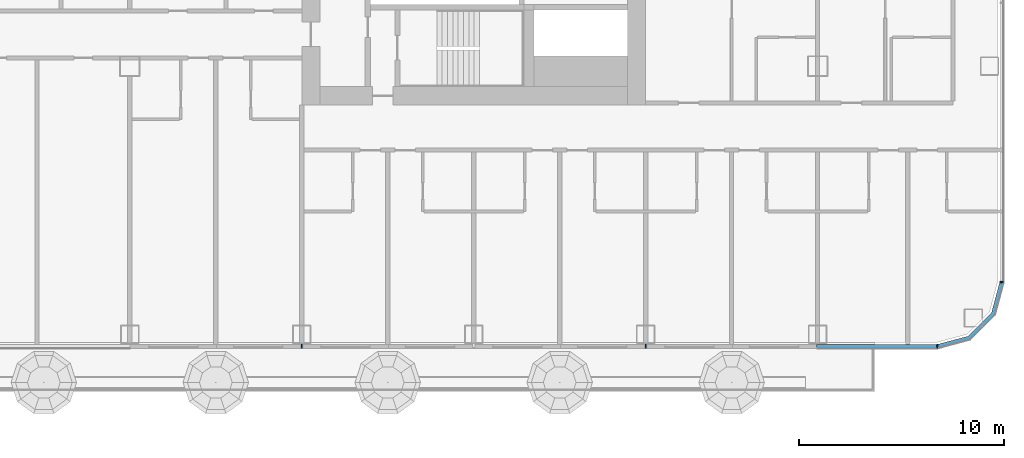
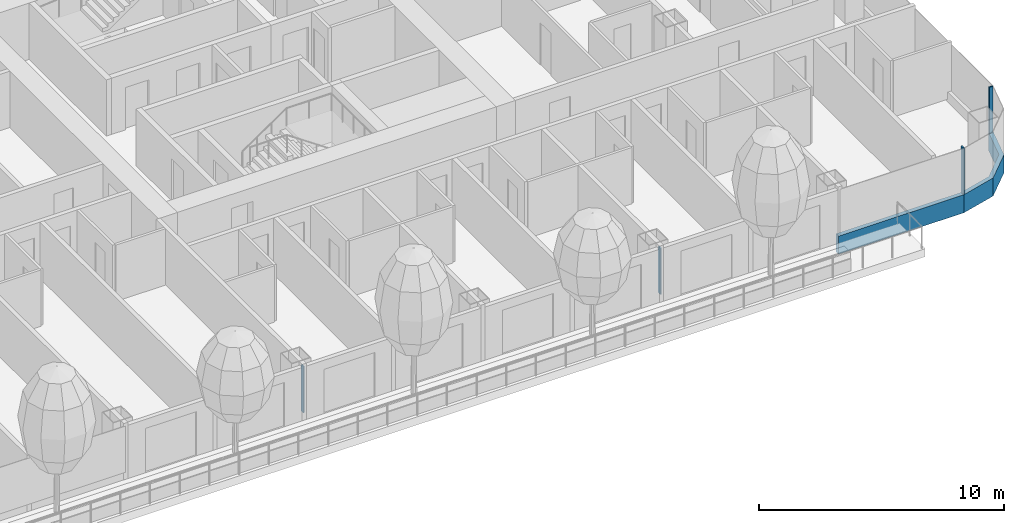
# One storey, part 7 of 37: 6 members, 3 elements without a shape of their own.
"""IFC4 building model written with IfcOpenShell, lengths in metres."""

from ifc_helpers import new_model, si_unit, direction, frame, origin, origin_2d, place, context, subcontext, project, spatial, polyline, rectangle, outline, extrude, material, layer, layer_set, material_profile, profile_set, type_object, element, aggregate, save


model = new_model("IFC4")

# Units and contexts
model_context = context("Model", 3, precision=1e-05, world=origin(), true_north=direction((0.0, 1.0)))
body_context = subcontext(model_context, "Body", "Model", "MODEL_VIEW")
ifc_project = project(units=[si_unit("LENGTHUNIT", "METRE"), si_unit("AREAUNIT", "SQUARE_METRE"), si_unit("VOLUMEUNIT", "CUBIC_METRE"), si_unit("PLANEANGLEUNIT", "RADIAN"), si_unit("MASSUNIT", "GRAM", prefix="KILO")], contexts=[model_context])

# Site, building, storey
site_placement = place(None, origin())
site = spatial("IfcSite", under=ifc_project, at=site_placement, CompositionType="ELEMENT")
building_placement = place(site_placement, origin())
building = spatial("IfcBuilding", under=site, at=building_placement, Name="Hakoniwa Tower and Hamabe Station Hall", CompositionType="ELEMENT")
storey_placement = place(building_placement, frame((0.0, 0.0, 39.0)))
storey = spatial("IfcBuildingStorey", under=building, at=storey_placement, Name="L10", CompositionType="ELEMENT", Elevation=39.0)

# Curtain wall, member
ifc_material_1 = material(Name="Dark low-e laminated glass", Category="glass")
ifc_layer = layer(ifc_material_1, 0.199951171875)
ifc_layer_set = layer_set([ifc_layer], Name="CW-1 UNITISED GUEST")
curtain_wall_type = type_object("IfcCurtainWallType", Name="CW-1 UNITISED GUEST", PredefinedType="NOTDEFINED", material=ifc_layer_set)
curtain_wall_1_placement = place(storey_placement, origin())
curtain_wall_1 = element("IfcCurtainWall", 1, at=curtain_wall_1_placement, inside=storey, type_object=curtain_wall_type, Name="CW-1 curtain wall", PredefinedType="NOTDEFINED")
ifc_material_2 = material(Name="Aluminium 6063-T5 black anodised", Category="aluminium")
ifc_material_profile_1 = material_profile(ifc_material_2, rectangle(XDim=0.199951171875, YDim=0.89990234375, at=origin_2d()), Name="CW SLAB-EDGE BAND 900X200")
ifc_profile_set_1 = profile_set([ifc_material_profile_1], Name="Aluminium 6063-T5 black anodised")
member_type_1 = type_object("IfcMemberType", Name="CW SLAB-EDGE BAND 900X200", PredefinedType="USERDEFINED", material=ifc_profile_set_1)
member_1_placement = place(storey_placement, frame((41.93994140625, -20.199951171875, -0.10009765625), z_axis=(1.0, 0.0, 0.0), x_axis=(0.0, 1.0, 0.0)))
member_1 = element("IfcMember", 2, at=member_1_placement, type_object=member_type_1, Name="CW-1 transom", ObjectType="TRANSOM", PredefinedType="USERDEFINED", context=body_context, shape_type="SweptSolid", body=[
    extrude(rectangle(XDim=0.199951171875, YDim=0.89990234375, at=origin_2d()), origin(), (0.0, 0.0, 1.0), 5.899658203125),
])

curtain_wall_2_placement = place(storey_placement, origin())
curtain_wall_2 = element("IfcCurtainWall", 3, at=curtain_wall_2_placement, inside=storey, type_object=curtain_wall_type, Name="CW-1 curtain wall", PredefinedType="NOTDEFINED")
member_2_placement = place(storey_placement, frame((0.0, 0.0, -0.550048828125)))
member_2 = element("IfcMember", 4, at=member_2_placement, type_object=member_type_1, Name="CW-1 transom", ObjectType="TRANSOM", PredefinedType="USERDEFINED", context=body_context, shape_type="SweptSolid", body=[
    extrude(outline(polyline([(47.839599609375, -20.300048828125), (49.455322265625, -19.866943359375), (50.6669921875, -18.6552734375), (51.10009765625, -17.03955078125), (50.90673828125, -16.98779296875), (50.48779296875, -18.5517578125), (49.351806640625, -19.687744140625), (47.787841796875, -20.10693359375), (47.839599609375, -20.300048828125)])), origin(), (0.0, 0.0, 1.0), 0.900146484375),
])
aggregate(curtain_wall_2, [member_2])

curtain_wall_3_placement = place(storey_placement, origin())
curtain_wall_3 = element("IfcCurtainWall", 5, at=curtain_wall_3_placement, inside=storey, type_object=curtain_wall_type, Name="CW-1 curtain wall", PredefinedType="NOTDEFINED")
ifc_material_3 = material(Name="Aluminium 6063-T5 black anodised", Category="aluminium")
ifc_material_profile_2 = material_profile(ifc_material_3, rectangle(XDim=0.06005859375, YDim=0.179931640625, at=origin_2d()), Name="CW-1 MULLION 60X180")
ifc_profile_set_2 = profile_set([ifc_material_profile_2], Name="Aluminium 6063-T5 black anodised")
member_type_2 = type_object("IfcMemberType", Name="CW-1 MULLION 60X180", PredefinedType="MULLION", material=ifc_profile_set_2)
member_3_placement = place(storey_placement, frame((50.98193359375, -17.03955078125, 0.35009765625), z_axis=(0.0, 0.0, 1.0), x_axis=(0.0, 1.0, 0.0)))
member_3 = element("IfcMember", 6, at=member_3_placement, type_object=member_type_2, Name="CW-1 mullion", PredefinedType="MULLION", context=body_context, shape_type="SweptSolid", body=[
    extrude(rectangle(XDim=0.06005859375, YDim=0.179931640625, at=origin_2d()), origin(), (0.0, 0.0, 1.0), 2.2998046875),
])
aggregate(curtain_wall_3, [member_3])

# Member
member_4_placement = place(storey_placement, frame((16.800048828125, -20.181884765625, 0.35009765625), z_axis=(0.0, 0.0, 1.0), x_axis=(1.0, 0.0, 0.0)))
member_4 = element("IfcMember", 7, at=member_4_placement, type_object=member_type_2, Name="CW-1 mullion", PredefinedType="MULLION", context=body_context, shape_type="SweptSolid", body=[
    extrude(rectangle(XDim=0.06005859375, YDim=0.179931640625, at=origin_2d()), origin(), (0.0, 0.0, 1.0), 2.2998046875),
])

member_5_placement = place(storey_placement, frame((33.60009765625, -20.181884765625, 0.35009765625), z_axis=(0.0, 0.0, 1.0), x_axis=(1.0, 0.0, 0.0)))
member_5 = element("IfcMember", 8, at=member_5_placement, type_object=member_type_2, Name="CW-1 mullion", PredefinedType="MULLION", context=body_context, shape_type="SweptSolid", body=[
    extrude(rectangle(XDim=0.06005859375, YDim=0.179931640625, at=origin_2d()), origin(), (0.0, 0.0, 1.0), 2.2998046875),
])

member_6_placement = place(storey_placement, frame((47.839599609375, -20.181884765625, 0.35009765625), z_axis=(0.0, 0.0, 1.0), x_axis=(1.0, 0.0, 0.0)))
member_6 = element("IfcMember", 9, at=member_6_placement, type_object=member_type_2, Name="CW-1 mullion", PredefinedType="MULLION", context=body_context, shape_type="SweptSolid", body=[
    extrude(rectangle(XDim=0.06005859375, YDim=0.179931640625, at=origin_2d()), origin(), (0.0, 0.0, 1.0), 2.2998046875),
])

aggregate(curtain_wall_1, [member_4, member_5, member_6, member_1])

save(model, "model.ifc")
